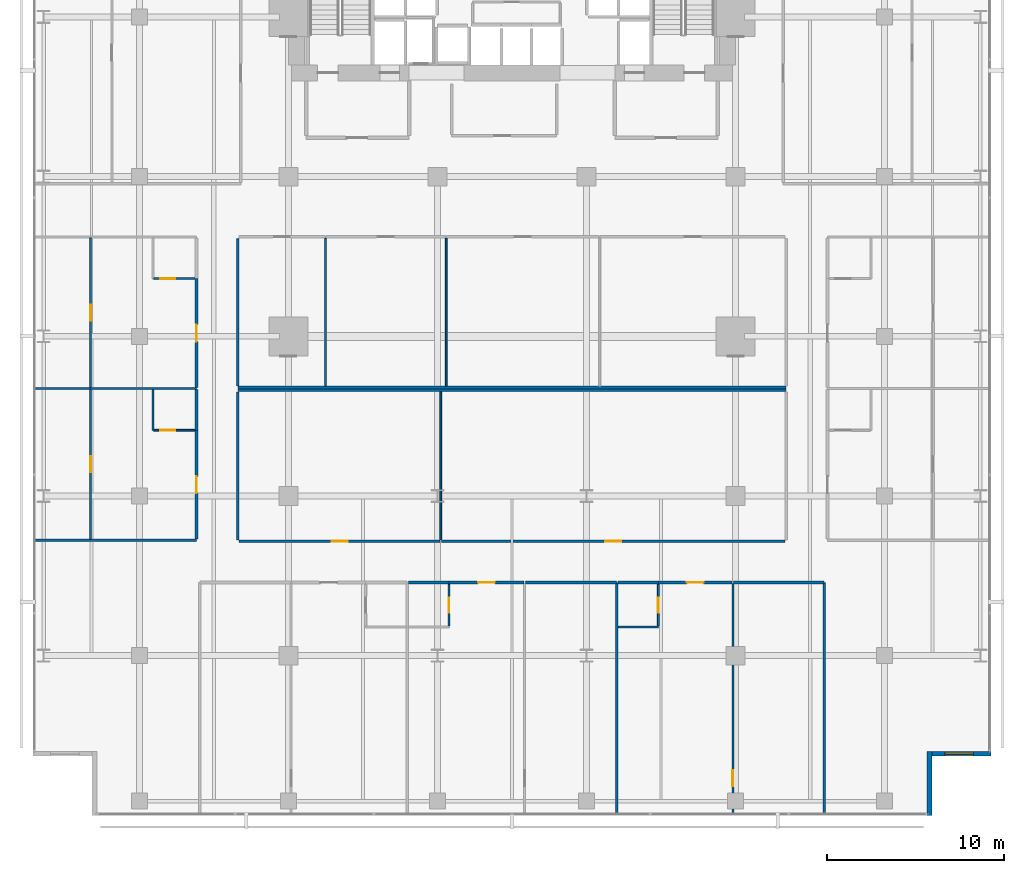
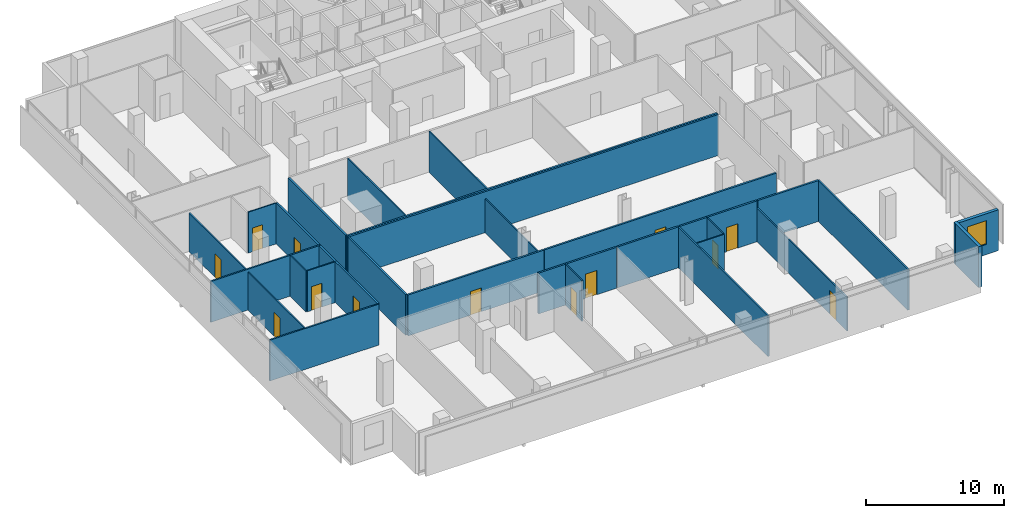
# One storey, part 33 of 39: 33 walls, 13 doors, 1 window, 14 openings.
"""IFC4 building model written with IfcOpenShell, lengths in metres."""

from ifc_helpers import new_model, si_unit, direction, frame, frame_2d, origin, place, context, subcontext, project, spatial, rectangle, extrude, material, layer, layer_set, type_object, element, fill, save


model = new_model("IFC4")

# Units and contexts
model_context = context("Model", 3, precision=1e-05, world=origin(), true_north=direction((0.0, 1.0)))
body_context = subcontext(model_context, "Body", "Model", "MODEL_VIEW")
ifc_project = project(units=[si_unit("LENGTHUNIT", "METRE"), si_unit("AREAUNIT", "SQUARE_METRE"), si_unit("VOLUMEUNIT", "CUBIC_METRE"), si_unit("PLANEANGLEUNIT", "RADIAN"), si_unit("MASSUNIT", "GRAM", prefix="KILO")], contexts=[model_context])

# Site, building, storey
site_placement = place(None, origin())
site = spatial("IfcSite", under=ifc_project, at=site_placement, CompositionType="ELEMENT")
building_placement = place(site_placement, origin())
building = spatial("IfcBuilding", under=site, at=building_placement, Name="Maruvema Waterfront Hotel and Observation Tower", CompositionType="ELEMENT")
storey_placement = place(building_placement, frame((0.0, 0.0, 65.449951171875)))
storey = spatial("IfcBuildingStorey", under=building, at=storey_placement, Name="L15", CompositionType="ELEMENT", Elevation=65.449951171875)

# Walls
ifc_material_1 = material(Name="Twin-stud acoustic gypsum drywall", Category="gypsum")
ifc_layer_1 = layer(ifc_material_1, 0.14990234375, Name="Acoustic Corridor and Suite Demising Wall 150 mm")
ifc_layer_set_1 = layer_set([ifc_layer_1], Name="Twin-stud acoustic gypsum drywall")
wall_type_1 = type_object("IfcWallType", Name="Acoustic Corridor and Suite Demising Wall 150 mm", PredefinedType="PARTITIONING", material=ifc_layer_set_1)
wall_1_placement = place(storey_placement, frame((22.35009765625, 24.110107421875, 0.0), z_axis=(0.0, 0.0, 1.0), x_axis=(1.0, 0.0, 0.0)))
element("IfcWall", 1, at=wall_1_placement, inside=storey, type_object=wall_type_1, Name="L15 L15-INTN Back Wall 016", PredefinedType="PARTITIONING", context=body_context, shape_type="SweptSolid", body=[
    extrude(rectangle(XDim=30.89990234375, YDim=0.14990234375, at=frame_2d((15.449951171875, 0.0))), origin(), (0.0, 0.0, 1.0), 3.610107421875),
])
wall_2_placement = place(storey_placement, frame((22.35009765625, 24.18994140625, 0.0), z_axis=(0.0, 0.0, 1.0), x_axis=(0.0, 1.0, 0.0)))
element("IfcWall", 2, at=wall_2_placement, inside=storey, type_object=wall_type_1, Name="L15 L15-INTN West Wall 017", PredefinedType="PARTITIONING", context=body_context, shape_type="SweptSolid", body=[
    extrude(rectangle(XDim=8.330078125, YDim=0.14990234375, at=frame_2d((4.1650390625, 0.0))), origin(), (0.0, 0.0, 1.0), 3.610107421875),
])
wall_3_placement = place(storey_placement, frame((22.35009765625, 23.949951171875, 0.0), z_axis=(0.0, 0.0, 1.0), x_axis=(1.0, 0.0, 0.0)))
element("IfcWall", 3, at=wall_3_placement, inside=storey, type_object=wall_type_1, Name="L15 L15-INTS Back Wall 026", PredefinedType="PARTITIONING", context=body_context, shape_type="SweptSolid", body=[
    extrude(rectangle(XDim=30.89990234375, YDim=0.14990234375, at=frame_2d((15.449951171875, 0.0))), origin(), (0.0, 0.0, 1.0), 3.610107421875),
])
wall_4_placement = place(storey_placement, frame((22.35009765625, 15.530029296875, 0.0), z_axis=(0.0, 0.0, 1.0), x_axis=(0.0, 1.0, 0.0)))
element("IfcWall", 4, at=wall_4_placement, inside=storey, type_object=wall_type_1, Name="L15 L15-INTS West Wall 027", PredefinedType="PARTITIONING", context=body_context, shape_type="SweptSolid", body=[
    extrude(rectangle(XDim=8.340087890625, YDim=0.14990234375, at=frame_2d((4.169921875, 0.0))), origin(), (0.0, 0.0, 1.0), 3.610107421875),
])

# Wall, opening, door
wall_5_placement = place(storey_placement, frame((22.409912109375, 15.449951171875, 0.0), z_axis=(0.0, 0.0, 1.0), x_axis=(1.0, 0.0, 0.0)))
wall_5 = element("IfcWall", 5, at=wall_5_placement, inside=storey, type_object=wall_type_1, Name="L15 L15-INTS Front 1 029", PredefinedType="PARTITIONING", context=body_context, shape_type="SweptSolid", body=[
    extrude(rectangle(XDim=11.343017578125, YDim=0.14990234375, at=frame_2d((5.67138671875, 0.0))), origin(), (0.0, 0.0, 1.0), 3.610107421875),
])
opening_1_placement = place(wall_5_placement, frame((5.221435546875, 0.0, 0.0)))
opening_1 = element("IfcOpeningElement", 6, at=opening_1_placement, cuts=wall_5, Name="Opening DR-090", PredefinedType="OPENING", context=body_context, shape_type="SweptSolid", body=[
    extrude(rectangle(XDim=0.89990234375, YDim=2.10009765625, at=frame_2d((0.449951171875, 1.050048828125))), frame((0.0, 0.0849609375, 0.0), z_axis=(0.0, -1.0, 0.0), x_axis=(1.0, 0.0, 0.0)), (0.0, 0.0, 1.0), 0.169921875),
])
ifc_material_2 = material(Name="Solid-core lacquered timber leaf", Category="wood")
door_type_1 = type_object("IfcDoorType", Name="Accessible Toilet and Room Door 900x2100 mm", OperationType="NOTDEFINED", PredefinedType="DOOR", material=ifc_material_2)
door_1_placement = place(opening_1_placement, frame((0.89990234375, 0.0, 0.0), z_axis=(0.0, 0.0, 1.0), x_axis=(-1.0, 0.0, 0.0)))
door_1 = element("IfcDoor", 7, at=door_1_placement, inside=storey, type_object=door_type_1, Name="L15 Diplomatic Salon Door", OperationType="SINGLE_SWING_RIGHT", OverallHeight=2.10009765625, OverallWidth=0.89990234375, PredefinedType="DOOR", context=body_context, shape_type="SweptSolid", body=[
    extrude(rectangle(XDim=0.89990234375, YDim=2.10009765625, at=frame_2d((0.449951171875, 1.050048828125))), frame((0.0, 0.02490234375, 0.0), z_axis=(0.0, -1.0, 0.0), x_axis=(1.0, 0.0, 0.0)), (0.0, 0.0, 1.0), 0.050048828125),
])
fill(opening_1, door_1)

wall_6_placement = place(storey_placement, frame((33.81298828125, 15.449951171875, 0.0), z_axis=(0.0, 0.0, 1.0), x_axis=(1.0, 0.0, 0.0)))
wall_6 = element("IfcWall", 8, at=wall_6_placement, inside=storey, type_object=wall_type_1, Name="L15 L15-INTS Front 2 031", PredefinedType="PARTITIONING", context=body_context, shape_type="SweptSolid", body=[
    extrude(rectangle(XDim=19.376953125, YDim=0.14990234375, at=frame_2d((9.6884765625, 0.0))), origin(), (0.0, 0.0, 1.0), 3.610107421875),
])
opening_2_placement = place(wall_6_placement, frame((9.238525390625, 0.0, 0.0)))
opening_2 = element("IfcOpeningElement", 9, at=opening_2_placement, cuts=wall_6, Name="Opening DR-090", PredefinedType="OPENING", context=body_context, shape_type="SweptSolid", body=[
    extrude(rectangle(XDim=0.89990234375, YDim=2.10009765625, at=frame_2d((0.449951171875, 1.050048828125))), frame((0.0, 0.0849609375, 0.0), z_axis=(0.0, -1.0, 0.0), x_axis=(1.0, 0.0, 0.0)), (0.0, 0.0, 1.0), 0.169921875),
])
door_2_placement = place(opening_2_placement, frame((0.89990234375, 0.0, 0.0), z_axis=(0.0, 0.0, 1.0), x_axis=(-1.0, 0.0, 0.0)))
door_2 = element("IfcDoor", 10, at=door_2_placement, inside=storey, type_object=door_type_1, Name="L15 Diplomatic Conference Room Door", OperationType="SINGLE_SWING_LEFT", OverallHeight=2.10009765625, OverallWidth=0.89990234375, PredefinedType="DOOR", context=body_context, shape_type="SweptSolid", body=[
    extrude(rectangle(XDim=0.89990234375, YDim=2.10009765625, at=frame_2d((0.449951171875, 1.050048828125))), frame((0.0, 0.02490234375, 0.0), z_axis=(0.0, -1.0, 0.0), x_axis=(1.0, 0.0, 0.0)), (0.0, 0.0, 1.0), 0.050048828125),
])
fill(opening_2, door_2)

# Wall
wall_7_placement = place(storey_placement, frame((31.97998046875, 13.1201171875, 0.0), z_axis=(0.0, 0.0, 1.0), x_axis=(1.0, 0.0, 0.0)))
element("IfcWall", 11, at=wall_7_placement, inside=storey, type_object=wall_type_1, Name="L15 Bath L15-S2 Back Wall 041", PredefinedType="PARTITIONING", context=body_context, shape_type="SweptSolid", body=[
    extrude(rectangle(XDim=2.27001953125, YDim=0.14990234375, at=frame_2d((1.135009765625, 0.0))), origin(), (0.0, 0.0, 1.0), 3.610107421875),
])

# Wall, opening, door
wall_8_placement = place(storey_placement, frame((34.25, 13.1201171875, 0.0), z_axis=(0.0, 0.0, 1.0), x_axis=(1.0, 0.0, 0.0)))
wall_8 = element("IfcWall", 12, at=wall_8_placement, inside=storey, type_object=wall_type_1, Name="L15 Unit L15-S2 Corridor Wall 044", PredefinedType="PARTITIONING", context=body_context, shape_type="SweptSolid", body=[
    extrude(rectangle(XDim=4.218017578125, YDim=0.14990234375, at=frame_2d((2.10888671875, 0.0))), origin(), (0.0, 0.0, 1.0), 3.610107421875),
])
opening_3_placement = place(wall_8_placement, frame((1.634033203125, 0.0, 0.0)))
opening_3 = element("IfcOpeningElement", 13, at=opening_3_placement, cuts=wall_8, Name="Opening DR-095", PredefinedType="OPENING", context=body_context, shape_type="SweptSolid", body=[
    extrude(rectangle(XDim=0.949951171875, YDim=2.14990234375, at=frame_2d((0.47509765625, 1.074951171875))), frame((0.0, 0.0849609375, 0.0), z_axis=(0.0, -1.0, 0.0), x_axis=(1.0, 0.0, 0.0)), (0.0, 0.0, 1.0), 0.169921875),
])
ifc_material_3 = material(Name="Acoustic solid-core hardwood timber leaf", Category="wood")
door_type_2 = type_object("IfcDoorType", Name="Guestroom Entrance Fire Door 950x2150 mm", OperationType="NOTDEFINED", PredefinedType="DOOR", material=ifc_material_3)
door_3_placement = place(opening_3_placement, frame((0.949951171875, 0.0, 0.0), z_axis=(0.0, 0.0, 1.0), x_axis=(-1.0, 0.0, 0.0)))
door_3 = element("IfcDoor", 14, at=door_3_placement, inside=storey, type_object=door_type_2, Name="L15 Unit L15-S2 Entrance Door", OperationType="SINGLE_SWING_RIGHT", OverallHeight=2.14990234375, OverallWidth=0.949951171875, PredefinedType="DOOR", context=body_context, shape_type="SweptSolid", body=[
    extrude(rectangle(XDim=0.949951171875, YDim=2.14990234375, at=frame_2d((0.47509765625, 1.074951171875))), frame((0.0, 0.02490234375, 0.0), z_axis=(0.0, -1.0, 0.0), x_axis=(1.0, 0.0, 0.0)), (0.0, 0.0, 1.0), 0.050048828125),
])
fill(opening_3, door_3)

# Walls
wall_9_placement = place(storey_placement, frame((38.548095703125, 13.1201171875, 0.0), z_axis=(0.0, 0.0, 1.0), x_axis=(1.0, 0.0, 0.0)))
element("IfcWall", 15, at=wall_9_placement, inside=storey, type_object=wall_type_1, Name="L15 Bedroom L15-S2 Back Wall 045", PredefinedType="PARTITIONING", context=body_context, shape_type="SweptSolid", body=[
    extrude(rectangle(XDim=5.1318359375, YDim=0.14990234375, at=frame_2d((2.56591796875, 0.0))), origin(), (0.0, 0.0, 1.0), 3.610107421875),
])
wall_10_placement = place(storey_placement, frame((43.780029296875, 13.1201171875, 0.0), z_axis=(0.0, 0.0, 1.0), x_axis=(1.0, 0.0, 0.0)))
element("IfcWall", 16, at=wall_10_placement, inside=storey, type_object=wall_type_1, Name="L15 Bath L15-S3 Back Wall 048", PredefinedType="PARTITIONING", context=body_context, shape_type="SweptSolid", body=[
    extrude(rectangle(XDim=2.27001953125, YDim=0.14990234375, at=frame_2d((1.135009765625, 0.0))), origin(), (0.0, 0.0, 1.0), 3.610107421875),
])

# Wall, opening, door
wall_11_placement = place(storey_placement, frame((46.050048828125, 13.1201171875, 0.0), z_axis=(0.0, 0.0, 1.0), x_axis=(1.0, 0.0, 0.0)))
wall_11 = element("IfcWall", 17, at=wall_11_placement, inside=storey, type_object=wall_type_1, Name="L15 Unit L15-S3 Corridor Wall 051", PredefinedType="PARTITIONING", context=body_context, shape_type="SweptSolid", body=[
    extrude(rectangle(XDim=4.161865234375, YDim=0.14990234375, at=frame_2d((2.0810546875, 0.0))), origin(), (0.0, 0.0, 1.0), 3.610107421875),
])
opening_4_placement = place(wall_11_placement, frame((1.60595703125, 0.0, 0.0)))
opening_4 = element("IfcOpeningElement", 18, at=opening_4_placement, cuts=wall_11, Name="Opening DR-095", PredefinedType="OPENING", context=body_context, shape_type="SweptSolid", body=[
    extrude(rectangle(XDim=0.949951171875, YDim=2.14990234375, at=frame_2d((0.47509765625, 1.074951171875))), frame((0.0, 0.0849609375, 0.0), z_axis=(0.0, -1.0, 0.0), x_axis=(1.0, 0.0, 0.0)), (0.0, 0.0, 1.0), 0.169921875),
])
door_4_placement = place(opening_4_placement, frame((0.949951171875, 0.0, 0.0), z_axis=(0.0, 0.0, 1.0), x_axis=(-1.0, 0.0, 0.0)))
door_4 = element("IfcDoor", 19, at=door_4_placement, inside=storey, type_object=door_type_2, Name="L15 Unit L15-S3 Entrance Door", OperationType="SINGLE_SWING_LEFT", OverallHeight=2.14990234375, OverallWidth=0.949951171875, PredefinedType="DOOR", context=body_context, shape_type="SweptSolid", body=[
    extrude(rectangle(XDim=0.949951171875, YDim=2.14990234375, at=frame_2d((0.47509765625, 1.074951171875))), frame((0.0, 0.02490234375, 0.0), z_axis=(0.0, -1.0, 0.0), x_axis=(1.0, 0.0, 0.0)), (0.0, 0.0, 1.0), 0.050048828125),
])
fill(opening_4, door_4)

# Wall
wall_12_placement = place(storey_placement, frame((50.2919921875, 13.1201171875, 0.0), z_axis=(0.0, 0.0, 1.0), x_axis=(1.0, 0.0, 0.0)))
element("IfcWall", 20, at=wall_12_placement, inside=storey, type_object=wall_type_1, Name="L15 Bedroom L15-S3 Back Wall 052", PredefinedType="PARTITIONING", context=body_context, shape_type="SweptSolid", body=[
    extrude(rectangle(XDim=5.087890625, YDim=0.14990234375, at=frame_2d((2.5439453125, 0.0))), origin(), (0.0, 0.0, 1.0), 3.610107421875),
])

# Wall, opening, door
wall_13_placement = place(storey_placement, frame((20.02001953125, 15.56005859375, 0.0), z_axis=(0.0, 0.0, 1.0), x_axis=(0.0, 1.0, 0.0)))
wall_13 = element("IfcWall", 21, at=wall_13_placement, inside=storey, type_object=wall_type_1, Name="L15 Room L15-W1 Corridor Wall 058", PredefinedType="PARTITIONING", context=body_context, shape_type="SweptSolid", body=[
    extrude(rectangle(XDim=6.139892578125, YDim=0.14990234375, at=frame_2d((3.06982421875, 0.0))), origin(), (0.0, 0.0, 1.0), 3.610107421875),
])
opening_5_placement = place(wall_13_placement, frame((2.594970703125, 0.0, 0.0)))
opening_5 = element("IfcOpeningElement", 22, at=opening_5_placement, cuts=wall_13, Name="Opening DR-095", PredefinedType="OPENING", context=body_context, shape_type="SweptSolid", body=[
    extrude(rectangle(XDim=0.949951171875, YDim=2.14990234375, at=frame_2d((0.47509765625, 1.074951171875))), frame((0.0, 0.0849609375, 0.0), z_axis=(0.0, -1.0, 0.0), x_axis=(1.0, 0.0, 0.0)), (0.0, 0.0, 1.0), 0.169921875),
])
door_5_placement = place(opening_5_placement, origin())
door_5 = element("IfcDoor", 23, at=door_5_placement, inside=storey, type_object=door_type_2, Name="L15 Room L15-W1 Entrance Door", OperationType="SINGLE_SWING_RIGHT", OverallHeight=2.14990234375, OverallWidth=0.949951171875, PredefinedType="DOOR", context=body_context, shape_type="SweptSolid", body=[
    extrude(rectangle(XDim=0.949951171875, YDim=2.14990234375, at=frame_2d((0.47509765625, 1.074951171875))), frame((0.0, 0.02490234375, 0.0), z_axis=(0.0, -1.0, 0.0), x_axis=(1.0, 0.0, 0.0)), (0.0, 0.0, 1.0), 0.050048828125),
])
fill(opening_5, door_5)

# Wall
wall_14_placement = place(storey_placement, frame((20.02001953125, 21.699951171875, 0.0), z_axis=(0.0, 0.0, 1.0), x_axis=(0.0, 1.0, 0.0)))
element("IfcWall", 24, at=wall_14_placement, inside=storey, type_object=wall_type_1, Name="L15 Bath L15-W1 Wall 059", PredefinedType="PARTITIONING", context=body_context, shape_type="SweptSolid", body=[
    extrude(rectangle(XDim=2.2900390625, YDim=0.14990234375, at=frame_2d((1.14501953125, 0.0))), origin(), (0.0, 0.0, 1.0), 3.610107421875),
])

# Wall, opening, door
wall_15_placement = place(storey_placement, frame((20.02001953125, 24.110107421875, 0.0), z_axis=(0.0, 0.0, 1.0), x_axis=(0.0, 1.0, 0.0)))
wall_15 = element("IfcWall", 25, at=wall_15_placement, inside=storey, type_object=wall_type_1, Name="L15 Room L15-W2 Corridor Wall 070", PredefinedType="PARTITIONING", context=body_context, shape_type="SweptSolid", body=[
    extrude(rectangle(XDim=6.139892578125, YDim=0.14990234375, at=frame_2d((3.06982421875, 0.0))), origin(), (0.0, 0.0, 1.0), 3.610107421875),
])
opening_6_placement = place(wall_15_placement, frame((2.594970703125, 0.0, 0.0)))
opening_6 = element("IfcOpeningElement", 26, at=opening_6_placement, cuts=wall_15, Name="Opening DR-095", PredefinedType="OPENING", context=body_context, shape_type="SweptSolid", body=[
    extrude(rectangle(XDim=0.949951171875, YDim=2.14990234375, at=frame_2d((0.47509765625, 1.074951171875))), frame((0.0, 0.0849609375, 0.0), z_axis=(0.0, -1.0, 0.0), x_axis=(1.0, 0.0, 0.0)), (0.0, 0.0, 1.0), 0.169921875),
])
door_6_placement = place(opening_6_placement, origin())
door_6 = element("IfcDoor", 27, at=door_6_placement, inside=storey, type_object=door_type_2, Name="L15 Room L15-W2 Entrance Door", OperationType="SINGLE_SWING_RIGHT", OverallHeight=2.14990234375, OverallWidth=0.949951171875, PredefinedType="DOOR", context=body_context, shape_type="SweptSolid", body=[
    extrude(rectangle(XDim=0.949951171875, YDim=2.14990234375, at=frame_2d((0.47509765625, 1.074951171875))), frame((0.0, 0.02490234375, 0.0), z_axis=(0.0, -1.0, 0.0), x_axis=(1.0, 0.0, 0.0)), (0.0, 0.0, 1.0), 0.050048828125),
])
fill(opening_6, door_6)

# Walls
ifc_material_4 = material(Name="Moisture-resistant cement-board drywall", Category="gypsum")
ifc_layer_2 = layer(ifc_material_4, 0.10009765625, Name="En-Suite Moisture-Resistant Partition 100 mm")
ifc_layer_set_2 = layer_set([ifc_layer_2], Name="Moisture-resistant cement-board drywall")
wall_type_2 = type_object("IfcWallType", Name="En-Suite Moisture-Resistant Partition 100 mm", PredefinedType="PARTITIONING", material=ifc_layer_set_2)
for number, where, z_axis, x_axis, name in (
    (28, (27.2939453125, 24.18994140625, 0.0), (0.0, 0.0, 1.0), (0.0, 1.0, 0.0), "L15 L15-INTN Split 1 020"),
    (29, (34.092041015625, 24.18994140625, 0.0), (0.0, 0.0, 1.0), (0.0, 1.0, 0.0), "L15 L15-INTN Split 2 022"),
):
    element("IfcWall", number, at=place(storey_placement, frame(where, z_axis=z_axis, x_axis=x_axis)), inside=storey, type_object=wall_type_2, Name=name, PredefinedType="PARTITIONING", context=body_context, shape_type="SweptSolid", body=[
        extrude(rectangle(XDim=8.330078125, YDim=0.10009765625, at=frame_2d((4.1650390625, 0.0))), origin(), (0.0, 0.0, 1.0), 3.610107421875),
    ])
wall_16_placement = place(storey_placement, frame((33.782958984375, 15.530029296875, 0.0), z_axis=(0.0, 0.0, 1.0), x_axis=(0.0, 1.0, 0.0)))
element("IfcWall", 30, at=wall_16_placement, inside=storey, type_object=wall_type_2, Name="L15 L15-INTS Split 1 030", PredefinedType="PARTITIONING", context=body_context, shape_type="SweptSolid", body=[
    extrude(rectangle(XDim=8.340087890625, YDim=0.10009765625, at=frame_2d((4.169921875, 0.0))), origin(), (0.0, 0.0, 1.0), 2.988037109375),
])

# Wall, opening, door
wall_17_placement = place(storey_placement, frame((34.25, 10.679931640625, 0.0), z_axis=(0.0, 0.0, 1.0), x_axis=(0.0, 1.0, 0.0)))
wall_17 = element("IfcWall", 31, at=wall_17_placement, inside=storey, type_object=wall_type_2, Name="L15 En-Suite L15-S2 East 043", PredefinedType="PARTITIONING", context=body_context, shape_type="SweptSolid", body=[
    extrude(rectangle(XDim=2.340087890625, YDim=0.10009765625, at=frame_2d((1.169921875, 0.0))), origin(), (0.0, 0.0, 1.0), 3.610107421875),
])
opening_7_placement = place(wall_17_placement, frame((0.7451171875, 0.0, 0.0)))
opening_7 = element("IfcOpeningElement", 32, at=opening_7_placement, cuts=wall_17, Name="Opening DR-085", PredefinedType="OPENING", context=body_context, shape_type="SweptSolid", body=[
    extrude(rectangle(XDim=0.85009765625, YDim=2.10009765625, at=frame_2d((0.425048828125, 1.050048828125))), frame((0.0, 0.06005859375, 0.0), z_axis=(0.0, -1.0, 0.0), x_axis=(1.0, 0.0, 0.0)), (0.0, 0.0, 1.0), 0.1201171875),
])
ifc_material_5 = material(Name="Moisture-resistant solid timber leaf", Category="wood")
door_type_3 = type_object("IfcDoorType", Name="En-Suite Bathroom Door 850x2100 mm", OperationType="NOTDEFINED", PredefinedType="DOOR", material=ifc_material_5)
door_7_placement = place(opening_7_placement, frame((0.85009765625, 0.0, 0.0), z_axis=(0.0, 0.0, 1.0), x_axis=(-1.0, 0.0, 0.0)))
door_7 = element("IfcDoor", 33, at=door_7_placement, inside=storey, type_object=door_type_3, Name="L15 En-Suite L15-S2 Door", OperationType="SINGLE_SWING_LEFT", OverallHeight=2.10009765625, OverallWidth=0.85009765625, PredefinedType="DOOR", context=body_context, shape_type="SweptSolid", body=[
    extrude(rectangle(XDim=0.85009765625, YDim=2.10009765625, at=frame_2d((0.425048828125, 1.050048828125))), frame((0.0, 0.02490234375, 0.0), z_axis=(0.0, -1.0, 0.0), x_axis=(1.0, 0.0, 0.0)), (0.0, 0.0, 1.0), 0.050048828125),
])
fill(opening_7, door_7)

# Wall
wall_18_placement = place(storey_placement, frame((43.780029296875, 10.6201171875, 0.0), z_axis=(0.0, 0.0, 1.0), x_axis=(1.0, 0.0, 0.0)))
element("IfcWall", 34, at=wall_18_placement, inside=storey, type_object=wall_type_2, Name="L15 En-Suite L15-S3 South 049", PredefinedType="PARTITIONING", context=body_context, shape_type="SweptSolid", body=[
    extrude(rectangle(XDim=2.27001953125, YDim=0.10009765625, at=frame_2d((1.135009765625, 0.0))), origin(), (0.0, 0.0, 1.0), 3.610107421875),
])

# Wall, opening, door
wall_19_placement = place(storey_placement, frame((46.050048828125, 10.679931640625, 0.0), z_axis=(0.0, 0.0, 1.0), x_axis=(0.0, 1.0, 0.0)))
wall_19 = element("IfcWall", 35, at=wall_19_placement, inside=storey, type_object=wall_type_2, Name="L15 En-Suite L15-S3 East 050", PredefinedType="PARTITIONING", context=body_context, shape_type="SweptSolid", body=[
    extrude(rectangle(XDim=2.340087890625, YDim=0.10009765625, at=frame_2d((1.169921875, 0.0))), origin(), (0.0, 0.0, 1.0), 3.610107421875),
])
opening_8_placement = place(wall_19_placement, frame((0.7451171875, 0.0, 0.0)))
opening_8 = element("IfcOpeningElement", 36, at=opening_8_placement, cuts=wall_19, Name="Opening DR-085", PredefinedType="OPENING", context=body_context, shape_type="SweptSolid", body=[
    extrude(rectangle(XDim=0.85009765625, YDim=2.10009765625, at=frame_2d((0.425048828125, 1.050048828125))), frame((0.0, 0.06005859375, 0.0), z_axis=(0.0, -1.0, 0.0), x_axis=(1.0, 0.0, 0.0)), (0.0, 0.0, 1.0), 0.1201171875),
])
door_8_placement = place(opening_8_placement, frame((0.85009765625, 0.0, 0.0), z_axis=(0.0, 0.0, 1.0), x_axis=(-1.0, 0.0, 0.0)))
door_8 = element("IfcDoor", 37, at=door_8_placement, inside=storey, type_object=door_type_3, Name="L15 En-Suite L15-S3 Door", OperationType="SINGLE_SWING_RIGHT", OverallHeight=2.10009765625, OverallWidth=0.85009765625, PredefinedType="DOOR", context=body_context, shape_type="SweptSolid", body=[
    extrude(rectangle(XDim=0.85009765625, YDim=2.10009765625, at=frame_2d((0.425048828125, 1.050048828125))), frame((0.0, 0.02490234375, 0.0), z_axis=(0.0, -1.0, 0.0), x_axis=(1.0, 0.0, 0.0)), (0.0, 0.0, 1.0), 0.050048828125),
])
fill(opening_8, door_8)

wall_20_placement = place(storey_placement, frame((50.251953125, 0.030029296875, 0.0), z_axis=(0.0, 0.0, 1.0), x_axis=(0.0, 1.0, 0.0)))
wall_20 = element("IfcWall", 38, at=wall_20_placement, inside=storey, type_object=wall_type_2, Name="L15 Suite L15-S3 Split 053", PredefinedType="PARTITIONING", context=body_context, shape_type="SweptSolid", body=[
    extrude(rectangle(XDim=13.030029296875, YDim=0.10009765625, at=frame_2d((6.51513671875, 0.0))), origin(), (0.0, 0.0, 1.0), 2.988037109375),
])
opening_9_placement = place(wall_20_placement, frame((1.60009765625, 0.0, 0.0)))
opening_9 = element("IfcOpeningElement", 39, at=opening_9_placement, cuts=wall_20, Name="Opening DR-090", PredefinedType="OPENING", context=body_context, shape_type="SweptSolid", body=[
    extrude(rectangle(XDim=0.89990234375, YDim=2.10009765625, at=frame_2d((0.449951171875, 1.050048828125))), frame((0.0, 0.06005859375, 0.0), z_axis=(0.0, -1.0, 0.0), x_axis=(1.0, 0.0, 0.0)), (0.0, 0.0, 1.0), 0.1201171875),
])
door_9_placement = place(opening_9_placement, origin())
door_9 = element("IfcDoor", 40, at=door_9_placement, inside=storey, type_object=door_type_1, Name="L15 Suite L15-S3 Bedroom Door", OperationType="SINGLE_SWING_RIGHT", OverallHeight=2.10009765625, OverallWidth=0.89990234375, PredefinedType="DOOR", context=body_context, shape_type="SweptSolid", body=[
    extrude(rectangle(XDim=0.89990234375, YDim=2.10009765625, at=frame_2d((0.449951171875, 1.050048828125))), frame((0.0, 0.02490234375, 0.0), z_axis=(0.0, -1.0, 0.0), x_axis=(1.0, 0.0, 0.0)), (0.0, 0.0, 1.0), 0.050048828125),
])
fill(opening_9, door_9)

# Wall
wall_21_placement = place(storey_placement, frame((17.570068359375, 21.699951171875, 0.0), z_axis=(0.0, 0.0, 1.0), x_axis=(0.0, 1.0, 0.0)))
element("IfcWall", 41, at=wall_21_placement, inside=storey, type_object=wall_type_2, Name="L15 En-Suite L15-W1 W 060", PredefinedType="PARTITIONING", context=body_context, shape_type="SweptSolid", body=[
    extrude(rectangle(XDim=2.2900390625, YDim=0.10009765625, at=frame_2d((1.14501953125, 0.0))), origin(), (0.0, 0.0, 1.0), 3.610107421875),
])

# Wall, opening, door
wall_22_placement = place(storey_placement, frame((17.6201171875, 21.699951171875, 0.0), z_axis=(0.0, 0.0, 1.0), x_axis=(1.0, 0.0, 0.0)))
wall_22 = element("IfcWall", 42, at=wall_22_placement, inside=storey, type_object=wall_type_2, Name="L15 En-Suite L15-W1 S 061", PredefinedType="PARTITIONING", context=body_context, shape_type="SweptSolid", body=[
    extrude(rectangle(XDim=2.2998046875, YDim=0.10009765625, at=frame_2d((1.14990234375, 0.0))), origin(), (0.0, 0.0, 1.0), 3.610107421875),
])
opening_10_placement = place(wall_22_placement, frame((0.35009765625, 0.0, 0.0)))
opening_10 = element("IfcOpeningElement", 43, at=opening_10_placement, cuts=wall_22, Name="Opening DR-085", PredefinedType="OPENING", context=body_context, shape_type="SweptSolid", body=[
    extrude(rectangle(XDim=0.85009765625, YDim=2.10009765625, at=frame_2d((0.425048828125, 1.050048828125))), frame((0.0, 0.06005859375, 0.0), z_axis=(0.0, -1.0, 0.0), x_axis=(1.0, 0.0, 0.0)), (0.0, 0.0, 1.0), 0.1201171875),
])
door_10_placement = place(opening_10_placement, frame((0.85009765625, 0.0, 0.0), z_axis=(0.0, 0.0, 1.0), x_axis=(-1.0, 0.0, 0.0)))
door_10 = element("IfcDoor", 44, at=door_10_placement, inside=storey, type_object=door_type_3, Name="L15 En-Suite L15-W1 Door", OperationType="SINGLE_SWING_LEFT", OverallHeight=2.10009765625, OverallWidth=0.85009765625, PredefinedType="DOOR", context=body_context, shape_type="SweptSolid", body=[
    extrude(rectangle(XDim=0.85009765625, YDim=2.10009765625, at=frame_2d((0.425048828125, 1.050048828125))), frame((0.0, 0.02490234375, 0.0), z_axis=(0.0, -1.0, 0.0), x_axis=(1.0, 0.0, 0.0)), (0.0, 0.0, 1.0), 0.050048828125),
])
fill(opening_10, door_10)

wall_23_placement = place(storey_placement, frame((14.049560546875, 15.56005859375, 0.0), z_axis=(0.0, 0.0, 1.0), x_axis=(0.0, 1.0, 0.0)))
wall_23 = element("IfcWall", 45, at=wall_23_placement, inside=storey, type_object=wall_type_2, Name="L15 Suite L15-W1 Split 062", PredefinedType="PARTITIONING", context=body_context, shape_type="SweptSolid", body=[
    extrude(rectangle(XDim=8.429931640625, YDim=0.10009765625, at=frame_2d((4.21484375, 0.0))), origin(), (0.0, 0.0, 1.0), 3.35205078125),
])
opening_11_placement = place(wall_23_placement, frame((3.764892578125, 0.0, 0.0)))
opening_11 = element("IfcOpeningElement", 46, at=opening_11_placement, cuts=wall_23, Name="Opening DR-090", PredefinedType="OPENING", context=body_context, shape_type="SweptSolid", body=[
    extrude(rectangle(XDim=0.89990234375, YDim=2.10009765625, at=frame_2d((0.449951171875, 1.050048828125))), frame((0.0, 0.06005859375, 0.0), z_axis=(0.0, -1.0, 0.0), x_axis=(1.0, 0.0, 0.0)), (0.0, 0.0, 1.0), 0.1201171875),
])
door_11_placement = place(opening_11_placement, origin())
door_11 = element("IfcDoor", 47, at=door_11_placement, inside=storey, type_object=door_type_1, Name="L15 Suite L15-W1 Bedroom Door", OperationType="SINGLE_SWING_LEFT", OverallHeight=2.10009765625, OverallWidth=0.89990234375, PredefinedType="DOOR", context=body_context, shape_type="SweptSolid", body=[
    extrude(rectangle(XDim=0.89990234375, YDim=2.10009765625, at=frame_2d((0.449951171875, 1.050048828125))), frame((0.0, 0.02490234375, 0.0), z_axis=(0.0, -1.0, 0.0), x_axis=(1.0, 0.0, 0.0)), (0.0, 0.0, 1.0), 0.050048828125),
])
fill(opening_11, door_11)

wall_24_placement = place(storey_placement, frame((17.6201171875, 30.25, 0.0), z_axis=(0.0, 0.0, 1.0), x_axis=(1.0, 0.0, 0.0)))
wall_24 = element("IfcWall", 48, at=wall_24_placement, inside=storey, type_object=wall_type_2, Name="L15 En-Suite L15-W2 S 073", PredefinedType="PARTITIONING", context=body_context, shape_type="SweptSolid", body=[
    extrude(rectangle(XDim=2.2998046875, YDim=0.10009765625, at=frame_2d((1.14990234375, 0.0))), origin(), (0.0, 0.0, 1.0), 3.610107421875),
])
opening_12_placement = place(wall_24_placement, frame((0.35009765625, 0.0, 0.0)))
opening_12 = element("IfcOpeningElement", 49, at=opening_12_placement, cuts=wall_24, Name="Opening DR-085", PredefinedType="OPENING", context=body_context, shape_type="SweptSolid", body=[
    extrude(rectangle(XDim=0.85009765625, YDim=2.10009765625, at=frame_2d((0.425048828125, 1.050048828125))), frame((0.0, 0.06005859375, 0.0), z_axis=(0.0, -1.0, 0.0), x_axis=(1.0, 0.0, 0.0)), (0.0, 0.0, 1.0), 0.1201171875),
])
door_12_placement = place(opening_12_placement, frame((0.85009765625, 0.0, 0.0), z_axis=(0.0, 0.0, 1.0), x_axis=(-1.0, 0.0, 0.0)))
door_12 = element("IfcDoor", 50, at=door_12_placement, inside=storey, type_object=door_type_3, Name="L15 En-Suite L15-W2 Door", OperationType="SINGLE_SWING_LEFT", OverallHeight=2.10009765625, OverallWidth=0.85009765625, PredefinedType="DOOR", context=body_context, shape_type="SweptSolid", body=[
    extrude(rectangle(XDim=0.85009765625, YDim=2.10009765625, at=frame_2d((0.425048828125, 1.050048828125))), frame((0.0, 0.02490234375, 0.0), z_axis=(0.0, -1.0, 0.0), x_axis=(1.0, 0.0, 0.0)), (0.0, 0.0, 1.0), 0.050048828125),
])
fill(opening_12, door_12)

wall_25_placement = place(storey_placement, frame((14.049560546875, 24.110107421875, 0.0), z_axis=(0.0, 0.0, 1.0), x_axis=(0.0, 1.0, 0.0)))
wall_25 = element("IfcWall", 51, at=wall_25_placement, inside=storey, type_object=wall_type_2, Name="L15 Suite L15-W2 Split 074", PredefinedType="PARTITIONING", context=body_context, shape_type="SweptSolid", body=[
    extrude(rectangle(XDim=8.429931640625, YDim=0.10009765625, at=frame_2d((4.21484375, 0.0))), origin(), (0.0, 0.0, 1.0), 3.403076171875),
])
opening_13_placement = place(wall_25_placement, frame((3.764892578125, 0.0, 0.0)))
opening_13 = element("IfcOpeningElement", 52, at=opening_13_placement, cuts=wall_25, Name="Opening DR-090", PredefinedType="OPENING", context=body_context, shape_type="SweptSolid", body=[
    extrude(rectangle(XDim=0.89990234375, YDim=2.10009765625, at=frame_2d((0.449951171875, 1.050048828125))), frame((0.0, 0.06005859375, 0.0), z_axis=(0.0, -1.0, 0.0), x_axis=(1.0, 0.0, 0.0)), (0.0, 0.0, 1.0), 0.1201171875),
])
door_13_placement = place(opening_13_placement, origin())
door_13 = element("IfcDoor", 53, at=door_13_placement, inside=storey, type_object=door_type_1, Name="L15 Suite L15-W2 Bedroom Door", OperationType="SINGLE_SWING_LEFT", OverallHeight=2.10009765625, OverallWidth=0.89990234375, PredefinedType="DOOR", context=body_context, shape_type="SweptSolid", body=[
    extrude(rectangle(XDim=0.89990234375, YDim=2.10009765625, at=frame_2d((0.449951171875, 1.050048828125))), frame((0.0, 0.02490234375, 0.0), z_axis=(0.0, -1.0, 0.0), x_axis=(1.0, 0.0, 0.0)), (0.0, 0.0, 1.0), 0.050048828125),
])
fill(opening_13, door_13)

# Wall
ifc_material_6 = material(Name="Precast concrete C45/55 with honed Pernambuco granite facing", Category="masonry")
ifc_layer_3 = layer(ifc_material_6, 0.260009765625, Name="Exterior Granite Clad Spandrel and Pier Wall 260 mm")
ifc_layer_set_3 = layer_set([ifc_layer_3], Name="Precast concrete C45/55 with honed Pernambuco granite facing")
wall_type_3 = type_object("IfcWallType", Name="Exterior Granite Clad Spandrel and Pier Wall 260 mm", PredefinedType="SOLIDWALL", material=ifc_layer_set_3)
wall_26_placement = place(storey_placement, frame((61.330078125, 3.60009765625, 0.0), z_axis=(0.0, 0.0, 1.0), x_axis=(0.0, -1.0, 0.0)))
element("IfcWall", 54, at=wall_26_placement, inside=storey, type_object=wall_type_3, Name="L15 Corner Notch Granite Pier Wall SE1", PredefinedType="SOLIDWALL", context=body_context, shape_type="SweptSolid", body=[
    extrude(rectangle(XDim=3.60009765625, YDim=0.260009765625, at=frame_2d((1.800048828125, 0.0))), origin(), (0.0, 0.0, 1.0), 3.610107421875),
])

# Wall, opening, window
wall_27_placement = place(storey_placement, frame((64.800048828125, 3.469970703125, 0.0), z_axis=(0.0, 0.0, 1.0), x_axis=(-1.0, 0.0, 0.0)))
wall_27 = element("IfcWall", 55, at=wall_27_placement, inside=storey, type_object=wall_type_3, Name="L15 Corner Notch Granite Pier Wall SE2", PredefinedType="SOLIDWALL", context=body_context, shape_type="SweptSolid", body=[
    extrude(rectangle(XDim=3.60009765625, YDim=0.260009765625, at=frame_2d((1.800048828125, 0.0))), origin(), (0.0, 0.0, 1.0), 3.610107421875),
])
opening_14_placement = place(wall_27_placement, frame((1.0, 0.0, 0.89990234375)))
opening_14 = element("IfcOpeningElement", 56, at=opening_14_placement, cuts=wall_27, Name="Opening WN-01", PredefinedType="OPENING", context=body_context, shape_type="SweptSolid", body=[
    extrude(rectangle(XDim=1.60009765625, YDim=2.10009765625, at=frame_2d((0.800048828125, 1.050048828125))), frame((0.0, 0.14013671875, 0.0), z_axis=(0.0, -1.0, 0.0), x_axis=(1.0, 0.0, 0.0)), (0.0, 0.0, 1.0), 0.280029296875),
])
ifc_material_7 = material(Name="Anodised bronze aluminium frame with laminated low-E glass", Category="aluminium")
window_type = type_object("IfcWindowType", Name="Corner Notch Feature Window 1600x2100 mm", PartitioningType="SINGLE_PANEL", PredefinedType="WINDOW", material=ifc_material_7)
window_placement = place(opening_14_placement, origin())
window = element("IfcWindow", 57, at=window_placement, inside=storey, type_object=window_type, Name="L15 Corner Notch Punched Window SE2", OverallHeight=2.10009765625, OverallWidth=1.60009765625, PartitioningType="SINGLE_PANEL", PredefinedType="WINDOW", context=body_context, shape_type="SweptSolid", body=[
    extrude(rectangle(XDim=1.60009765625, YDim=2.10009765625, at=frame_2d((0.800048828125, 1.050048828125))), frame((0.0, 0.030029296875, 0.0), z_axis=(0.0, -1.0, 0.0), x_axis=(1.0, 0.0, 0.0)), (0.0, 0.0, 1.0), 0.06005859375),
])
fill(opening_14, window)

# Walls
ifc_material_8 = material(Name="Acoustic gypsum plasterboard drywall", Category="gypsum")
ifc_layer_4 = layer(ifc_material_8, 0.125, Name="Guestroom Acoustic Demising Wall 125 mm")
ifc_layer_set_4 = layer_set([ifc_layer_4], Name="Acoustic gypsum plasterboard drywall")
wall_type_4 = type_object("IfcWallType", Name="Guestroom Acoustic Demising Wall 125 mm", PredefinedType="PARTITIONING", material=ifc_layer_set_4)
for number, where, z_axis, x_axis, name in (
    (58, (55.39990234375, 0.10009765625, 0.0), (0.0, 0.0, 1.0), (0.0, 1.0, 0.0), "L15 S East End 033"),
    (59, (43.699951171875, 0.10009765625, 0.0), (0.0, 0.0, 1.0), (0.0, 1.0, 0.0), "L15 S Demising 3 047"),
):
    element("IfcWall", number, at=place(storey_placement, frame(where, z_axis=z_axis, x_axis=x_axis)), inside=storey, type_object=wall_type_4, Name=name, PredefinedType="PARTITIONING", context=body_context, shape_type="SweptSolid", body=[
        extrude(rectangle(XDim=13.02001953125, YDim=0.125, at=frame_2d((6.510009765625, 0.0))), origin(), (0.0, 0.0, 1.0), 3.610107421875),
    ])
for number, where, z_axis, x_axis, name in (
    (60, (10.89990234375, 15.5, 0.0), (0.0, 0.0, 1.0), (1.0, 0.0, 0.0), "L15 W Bot End 054"),
    (61, (10.89990234375, 24.050048828125, 0.0), (0.0, 0.0, 1.0), (1.0, 0.0, 0.0), "L15 W Demising 2 068"),
):
    element("IfcWall", number, at=place(storey_placement, frame(where, z_axis=z_axis, x_axis=x_axis)), inside=storey, type_object=wall_type_4, Name=name, PredefinedType="PARTITIONING", context=body_context, shape_type="SweptSolid", body=[
        extrude(rectangle(XDim=9.1201171875, YDim=0.125, at=frame_2d((4.56005859375, 0.0))), origin(), (0.0, 0.0, 1.0), 3.610107421875),
    ])

save(model, "model.ifc")
